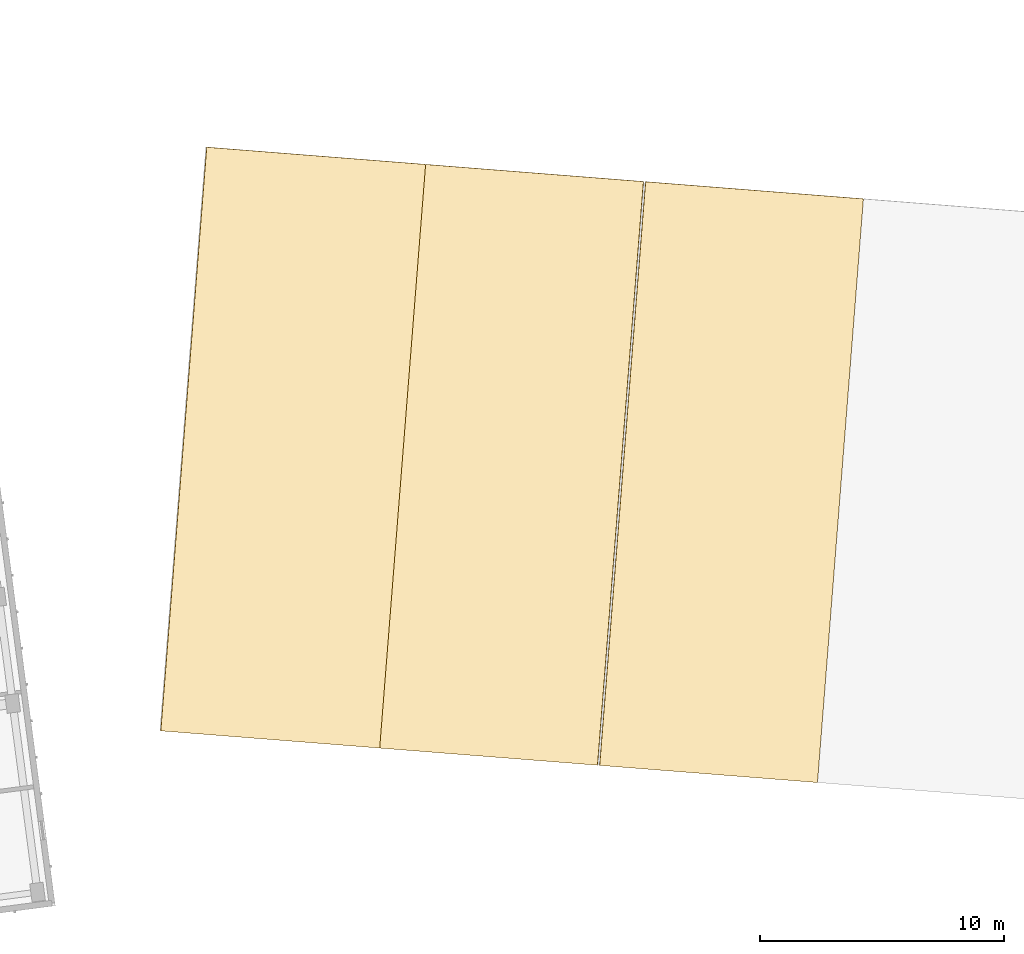
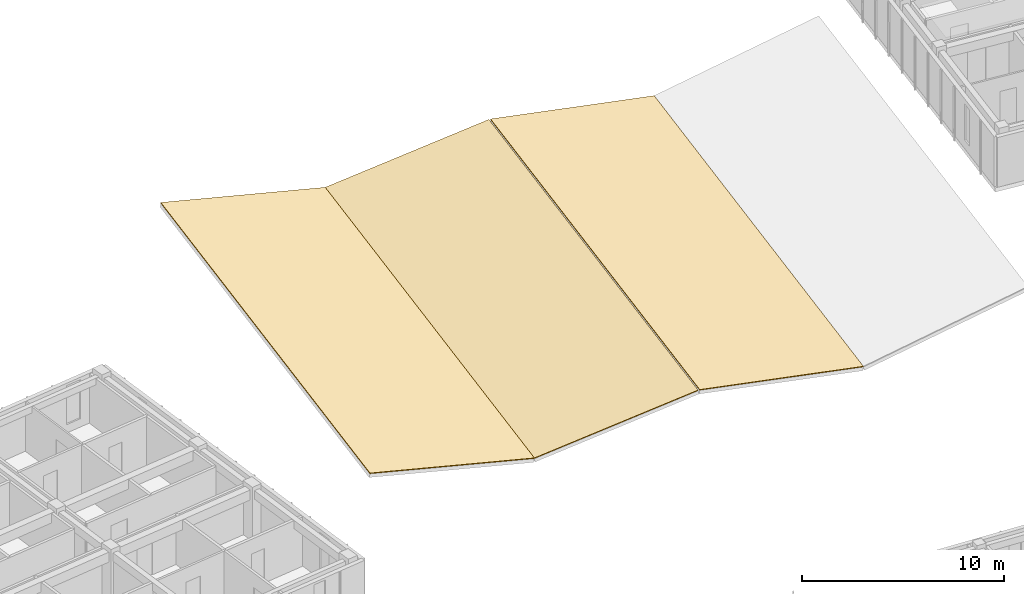
# One storey, part 60 of 74: 3 coverings.
"""IFC4 building model written with IfcOpenShell, lengths in metres."""

from ifc_helpers import new_model, si_unit, direction, frame, origin, place, context, subcontext, project, spatial, polyline, outline, extrude, material, layer, layer_set, type_object, element, save


model = new_model("IFC4")

# Units and contexts
model_context = context("Model", 3, precision=1e-05, world=origin(), true_north=direction((0.0, 1.0)))
body_context = subcontext(model_context, "Body", "Model", "MODEL_VIEW")
ifc_project = project(units=[si_unit("LENGTHUNIT", "METRE"), si_unit("AREAUNIT", "SQUARE_METRE"), si_unit("VOLUMEUNIT", "CUBIC_METRE"), si_unit("PLANEANGLEUNIT", "RADIAN"), si_unit("MASSUNIT", "GRAM", prefix="KILO")], contexts=[model_context])

# Site, building, storey
site_placement = place(None, origin())
site = spatial("IfcSite", under=ifc_project, at=site_placement, CompositionType="ELEMENT")
building_placement = place(site_placement, origin())
building = spatial("IfcBuilding", under=site, at=building_placement, Name="Kestramere Prow Commons", CompositionType="ELEMENT")
storey_placement = place(building_placement, frame((0.0, 0.0, 11.64990234375)))
storey = spatial("IfcBuildingStorey", under=building, at=storey_placement, Name="L03", CompositionType="ELEMENT", Elevation=11.64990234375)

# Coverings
ifc_material = material(Name="Fluoropolymer Standing-Seam Zinc-Aluminium Roofing", Category="aluminium")
ifc_layer = layer(ifc_material, 0.044921875)
ifc_layer_set = layer_set([ifc_layer], Name="Fluoropolymer Standing-Seam Zinc-Aluminium Roofing")
covering_type = type_object("IfcCoveringType", Name="COV-ROOF-SEAM", PredefinedType="ROOFING", material=ifc_layer_set)
covering_1_placement = place(storey_placement, frame((68.60009765625, 85.5, 2.34521484375), z_axis=(0.191619010573, -0.062155521304, 0.979499283286), x_axis=(0.977557547791, -0.076927913941, -0.196120720002)))
element("IfcCovering", 1, at=covering_1_placement, inside=storey, type_object=covering_type, Name="Nursery Butterfly Roofing SL-NR-ROOF-0", PredefinedType="ROOFING", context=body_context, shape_type="SweptSolid", body=[
    extrude(outline(polyline([(0.0, 0.0), (9.178152704345862, -1.3877787807814457e-17), (8.952850038512434, 24.026487621227893), (-0.2255413273441218, 24.026466248956858), (0.0, 0.0)])), origin(), (0.0, 0.0, -1.0), 0.044921875),
])
covering_2_placement = place(storey_placement, frame((77.572265625, 84.7939453125, 0.545166015625), z_axis=(-0.15676710464, -0.035104249267, 0.987011533158), x_axis=(0.985071002844, -0.077530589688, 0.153701421653)))
element("IfcCovering", 2, at=covering_2_placement, inside=storey, type_object=covering_type, Name="Nursery Butterfly Roofing SL-NR-ROOF-1", PredefinedType="ROOFING", context=body_context, shape_type="SweptSolid", body=[
    extrude(outline(polyline([(0.0, 0.0), (9.062766359535226, 1.249000902703301e-16), (9.239250649422097, 24.02688835688961), (0.1766872609760291, 24.02689431235569), (0.0, 0.0)])), origin(), (0.0, 0.0, -1.0), 0.044921875),
])
covering_3_placement = place(storey_placement, frame((86.58935546875, 84.084228515625, 1.9384765625), z_axis=(0.138636521307, -0.058434936657, 0.988617860013), x_axis=(0.986678003111, -0.077656337489, -0.142954578185)))
element("IfcCovering", 3, at=covering_3_placement, inside=storey, type_object=covering_type, Name="Nursery Butterfly Roofing SL-NR-ROOF-2", PredefinedType="ROOFING", context=body_context, shape_type="SweptSolid", body=[
    extrude(outline(polyline([(0.0, 0.0), (9.04802803571512, 1.3183898417423734e-16), (8.883572393607025, 24.026992832685764), (-0.16445564210809419, 24.026992832685767), (0.0, 0.0)])), origin(), (0.0, 0.0, -1.0), 0.044921875),
])

save(model, "model.ifc")
